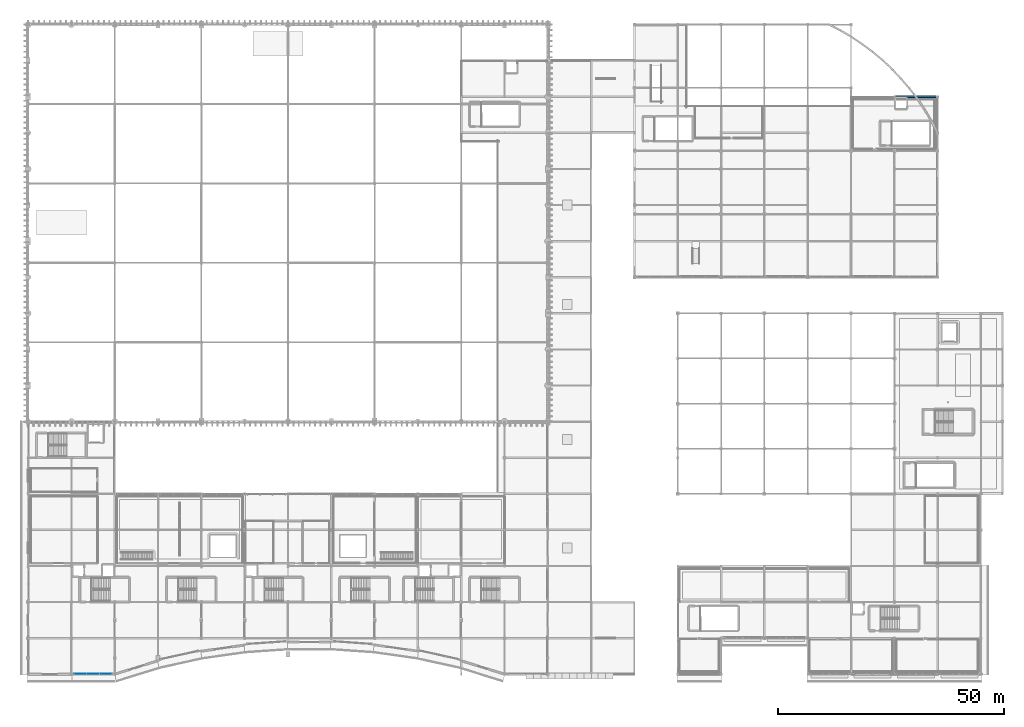
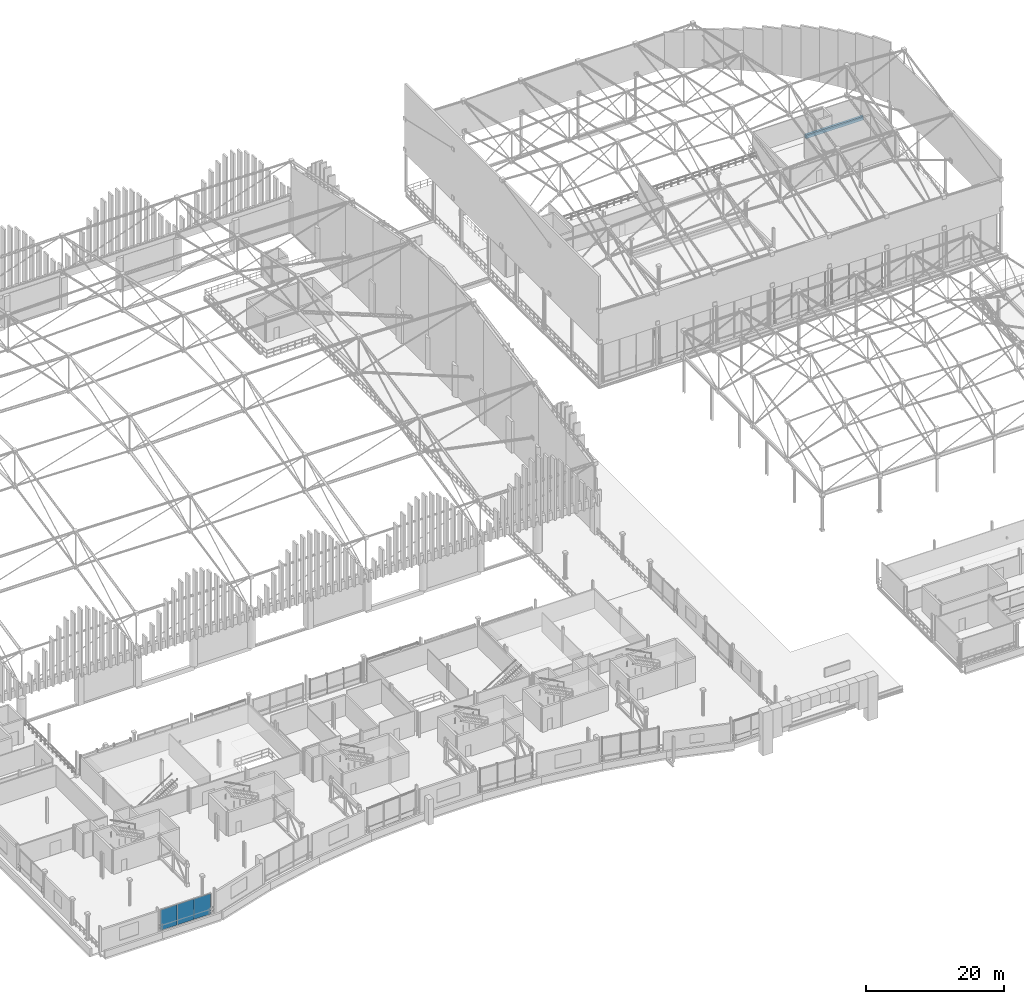
# One storey, part 144 of 193: 3 plates, 1 beam, 1 element without a shape of its own.
"""IFC4 building model written with IfcOpenShell, lengths in metres."""

from ifc_helpers import new_model, si_unit, direction, frame, origin, origin_2d, place, context, subcontext, project, spatial, rectangle, extrude, material, layer, layer_set, material_profile, profile_set, type_object, element, aggregate, save


model = new_model("IFC4")

# Units and contexts
model_context = context("Model", 3, precision=1e-05, world=origin(), true_north=direction((0.0, 1.0)))
body_context = subcontext(model_context, "Body", "Model", "MODEL_VIEW")
ifc_project = project(units=[si_unit("LENGTHUNIT", "METRE"), si_unit("AREAUNIT", "SQUARE_METRE"), si_unit("VOLUMEUNIT", "CUBIC_METRE"), si_unit("PLANEANGLEUNIT", "RADIAN"), si_unit("MASSUNIT", "GRAM", prefix="KILO")], contexts=[model_context])

# Site, building, storey
site_placement = place(None, origin())
site = spatial("IfcSite", under=ifc_project, at=site_placement, CompositionType="ELEMENT")
building_placement = place(site_placement, origin())
building = spatial("IfcBuilding", under=site, at=building_placement, Name="Danafjord Basin Convention Centre", CompositionType="ELEMENT")
storey_placement = place(building_placement, frame((0.0, 0.0, 11.39990234375)))
storey = spatial("IfcBuildingStorey", under=building, at=storey_placement, Name="L02", CompositionType="ELEMENT", Elevation=11.39990234375)

# Beam
ifc_material_1 = material(Name="Precast concrete C45/55", Category="concrete")
ifc_material_profile = material_profile(ifc_material_1, rectangle(XDim=0.39990234375, YDim=0.64990234375, at=origin_2d()), Name="PCB 400x650")
ifc_profile_set = profile_set([ifc_material_profile], Name="Precast concrete C45/55")
beam_type = type_object("IfcBeamType", Name="BEAM-SP-PCB650", PredefinedType="SPANDREL", material=ifc_profile_set)
beam_placement = place(storey_placement, frame((192.0, 128.0, -0.554931640625), z_axis=(1.0, 0.0, 0.0), x_axis=(0.0, 1.0, 0.0)))
element("IfcBeam", 1, at=beam_placement, inside=storey, type_object=beam_type, Name="L02 girder SP-PCB650", PredefinedType="SPANDREL", context=body_context, shape_type="SweptSolid", body=[
    extrude(rectangle(XDim=0.39990234375, YDim=0.64990234375, at=origin_2d()), origin(), (0.0, 0.0, 1.0), 9.60009765625),
])

# Curtain wall, plates
ifc_material_2 = material(Name="Anodised aluminium and triple glazing", Category="aluminium")
curtain_wall_type = type_object("IfcCurtainWallType", Name="CW-CW-HARB", PredefinedType="NOTDEFINED", material=ifc_material_2)
curtain_wall_placement = place(storey_placement, origin())
curtain_wall = element("IfcCurtainWall", 2, at=curtain_wall_placement, inside=storey, type_object=curtain_wall_type, Name="L02 CW-HARB unitised curtain wall bay 22", PredefinedType="NOTDEFINED")
ifc_material_3 = material(Name="Triple low-E insulated glazing", Category="glass")
ifc_layer = layer(ifc_material_3, 0.0380859375)
ifc_layer_set = layer_set([ifc_layer], Name="Triple low-E insulated glazing")
plate_type = type_object("IfcPlateType", Name="PLT-GP-38", PredefinedType="CURTAIN_PANEL", material=ifc_layer_set)
plate_1_placement = place(storey_placement, frame((11.60009765625, 0.1201171875, 0.088134765625), z_axis=(0.0, 0.0, 1.0), x_axis=(1.0, 0.0, 0.0)))
plate_1 = element("IfcPlate", 3, at=plate_1_placement, type_object=plate_type, Name="CW-L02-022 vision glazing unit 1", PredefinedType="CURTAIN_PANEL", context=body_context, shape_type="SweptSolid", body=[
    extrude(rectangle(XDim=2.743896484375, YDim=0.0380859375, at=origin_2d()), origin(), (0.0, 0.0, 1.0), 3.6279296875),
])
plate_2_placement = place(storey_placement, frame((14.39990234375, 0.1201171875, 0.088134765625), z_axis=(0.0, 0.0, 1.0), x_axis=(1.0, 0.0, 0.0)))
plate_2 = element("IfcPlate", 4, at=plate_2_placement, type_object=plate_type, Name="CW-L02-022 vision glazing unit 2", PredefinedType="CURTAIN_PANEL", context=body_context, shape_type="SweptSolid", body=[
    extrude(rectangle(XDim=2.743896484375, YDim=0.0380859375, at=origin_2d()), origin(), (0.0, 0.0, 1.0), 3.6279296875),
])
plate_3_placement = place(storey_placement, frame((17.199951171875, 0.1201171875, 0.088134765625), z_axis=(0.0, 0.0, 1.0), x_axis=(1.0, 0.0, 0.0)))
plate_3 = element("IfcPlate", 5, at=plate_3_placement, type_object=plate_type, Name="CW-L02-022 vision glazing unit 3", PredefinedType="CURTAIN_PANEL", context=body_context, shape_type="SweptSolid", body=[
    extrude(rectangle(XDim=2.743896484375, YDim=0.0380859375, at=origin_2d()), origin(), (0.0, 0.0, 1.0), 3.6279296875),
])
aggregate(curtain_wall, [plate_1, plate_2, plate_3])

save(model, "model.ifc")
